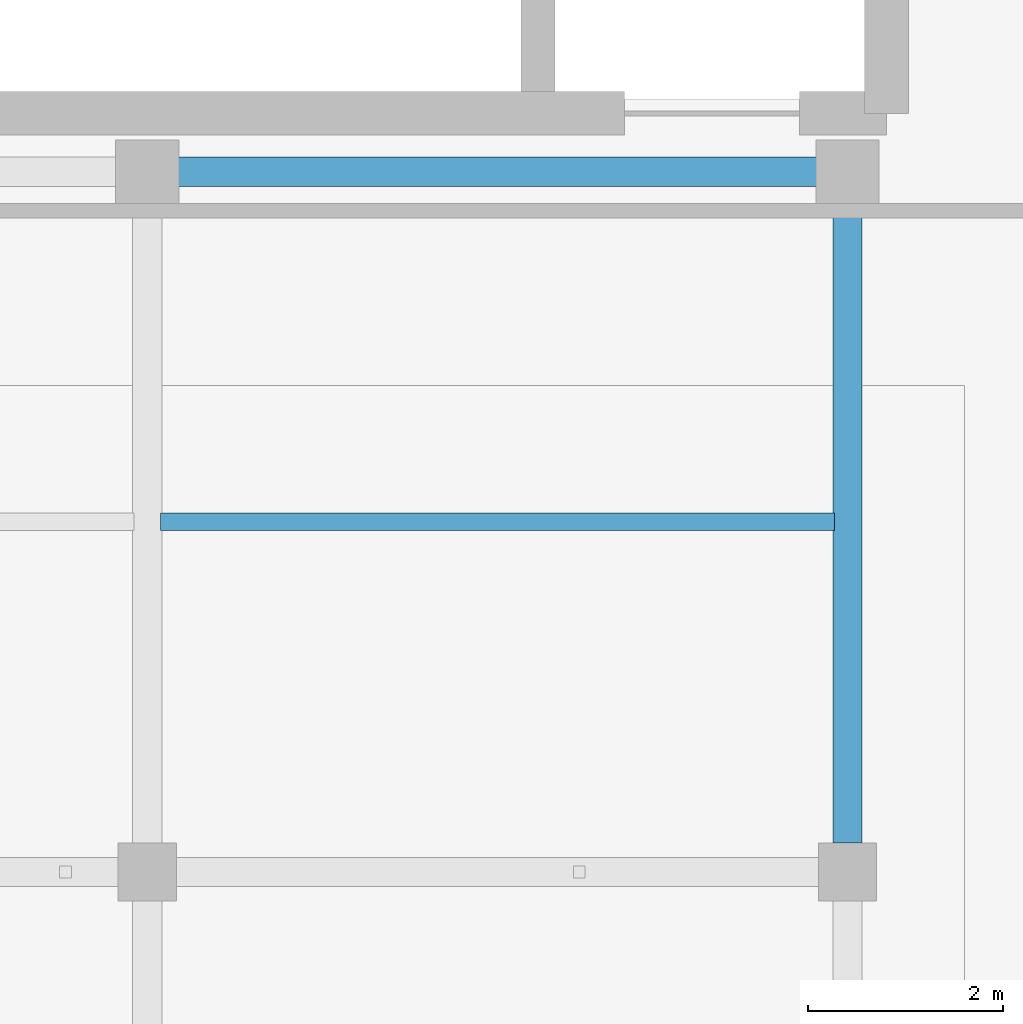
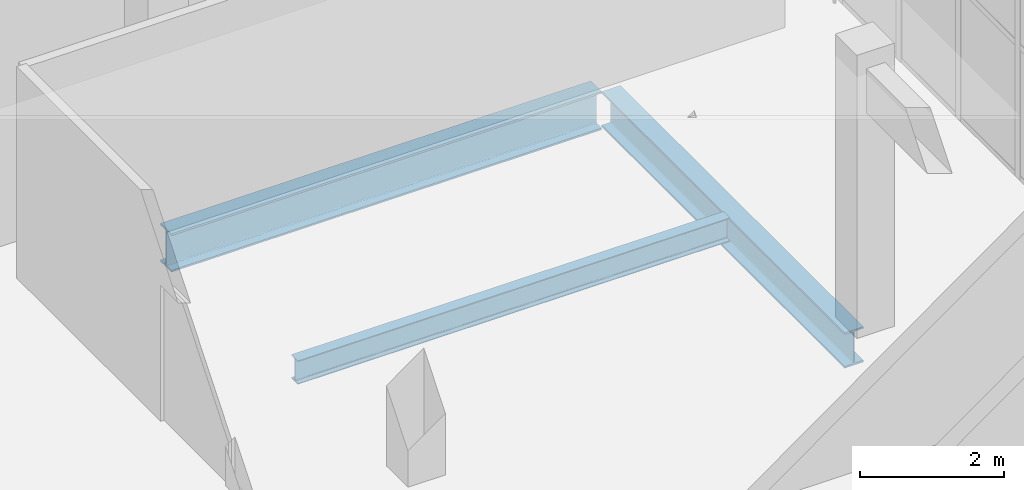
# One storey, part 64 of 105: 3 beams.
"""IFC4 building model written with IfcOpenShell, lengths in metres."""

from ifc_helpers import new_model, si_unit, direction, frame, origin, origin_2d, place, context, subcontext, project, spatial, i_section, extrude, material, material_profile, profile_set, type_object, element, save


model = new_model("IFC4")

# Units and contexts
model_context = context("Model", 3, precision=1e-05, world=origin(), true_north=direction((0.0, 1.0)))
body_context = subcontext(model_context, "Body", "Model", "MODEL_VIEW")
ifc_project = project(units=[si_unit("LENGTHUNIT", "METRE"), si_unit("AREAUNIT", "SQUARE_METRE"), si_unit("VOLUMEUNIT", "CUBIC_METRE"), si_unit("PLANEANGLEUNIT", "RADIAN"), si_unit("MASSUNIT", "GRAM", prefix="KILO")], contexts=[model_context])

# Site, building, storey
site_placement = place(None, origin())
site = spatial("IfcSite", under=ifc_project, at=site_placement, CompositionType="ELEMENT")
building_placement = place(site_placement, origin())
building = spatial("IfcBuilding", under=site, at=building_placement, Name="Qandorah Velis Arena", CompositionType="ELEMENT")
storey_placement = place(building_placement, frame((0.0, 0.0, 13.800048828125)))
storey = spatial("IfcBuildingStorey", under=building, at=storey_placement, Name="L03", CompositionType="ELEMENT", Elevation=13.800048828125)

# Beams
ifc_material = material(Name="Steel S355", Category="steel")
ifc_material_profile_1 = material_profile(ifc_material, i_section(OverallWidth=0.300048828125, OverallDepth=0.60009765625, WebThickness=0.015380859375, FlangeThickness=0.030029296875, FilletRadius=0.027099609375, at=origin_2d()), Name="HEB 600")
ifc_profile_set_1 = profile_set([ifc_material_profile_1], Name="Steel S355")
beam_type_1 = type_object("IfcBeamType", Name="STR-BM-HEB600", PredefinedType="BEAM", material=ifc_profile_set_1)
beam_1_placement = place(storey_placement, frame((165.60009765625, 72.300048828125, -0.6201171875), z_axis=(0.0, 1.0, 0.0), x_axis=(-1.0, 0.0, 0.0)))
element("IfcBeam", 1, at=beam_1_placement, inside=storey, type_object=beam_type_1, Name="Primary floor girder L03 Y-337", PredefinedType="BEAM", context=body_context, shape_type="SweptSolid", body=[
    extrude(i_section(OverallWidth=0.300048828125, OverallDepth=0.60009765625, WebThickness=0.015380859375, FlangeThickness=0.030029296875, FilletRadius=0.027099609375, at=origin_2d()), origin(), (0.0, 0.0, 1.0), 6.75),
])
ifc_material_profile_2 = material_profile(ifc_material, i_section(OverallWidth=0.300048828125, OverallDepth=0.64990234375, WebThickness=0.01611328125, FlangeThickness=0.031005859375, FilletRadius=0.027099609375, at=origin_2d()), Name="HEB 650")
ifc_profile_set_2 = profile_set([ifc_material_profile_2], Name="Steel S355")
beam_type_2 = type_object("IfcBeamType", Name="STR-BM-HEB650", PredefinedType="BEAM", material=ifc_profile_set_2)
beam_2_placement = place(storey_placement, frame((158.550048828125, 79.199951171875, -0.64501953125), z_axis=(1.0, 0.0, 0.0), x_axis=(0.0, 1.0, 0.0)))
element("IfcBeam", 2, at=beam_2_placement, inside=storey, type_object=beam_type_2, Name="Primary floor girder L03 X-104", PredefinedType="BEAM", context=body_context, shape_type="SweptSolid", body=[
    extrude(i_section(OverallWidth=0.300048828125, OverallDepth=0.64990234375, WebThickness=0.01611328125, FlangeThickness=0.031005859375, FilletRadius=0.027099609375, at=origin_2d()), origin(), (0.0, 0.0, 1.0), 6.89990234375),
])
ifc_material_profile_3 = material_profile(ifc_material, i_section(OverallWidth=0.179931640625, OverallDepth=0.39990234375, WebThickness=0.008544921875, FlangeThickness=0.013427734375, FilletRadius=0.02099609375, at=origin_2d()), Name="IPE 400")
ifc_profile_set_3 = profile_set([ifc_material_profile_3], Name="Steel S355")
beam_type_3 = type_object("IfcBeamType", Name="STR-JST-IPE400", PredefinedType="JOIST", material=ifc_profile_set_3)
beam_3_placement = place(storey_placement, frame((158.534912109375, 75.60009765625, -0.52001953125), z_axis=(1.0, 0.0, 0.0), x_axis=(0.0, 1.0, 0.0)))
element("IfcBeam", 3, at=beam_3_placement, inside=storey, type_object=beam_type_3, Name="Secondary floor joist L03-103", PredefinedType="JOIST", context=body_context, shape_type="SweptSolid", body=[
    extrude(i_section(OverallWidth=0.179931640625, OverallDepth=0.39990234375, WebThickness=0.008544921875, FlangeThickness=0.013427734375, FilletRadius=0.02099609375, at=origin_2d()), origin(), (0.0, 0.0, 1.0), 6.93017578125),
])

save(model, "model.ifc")
